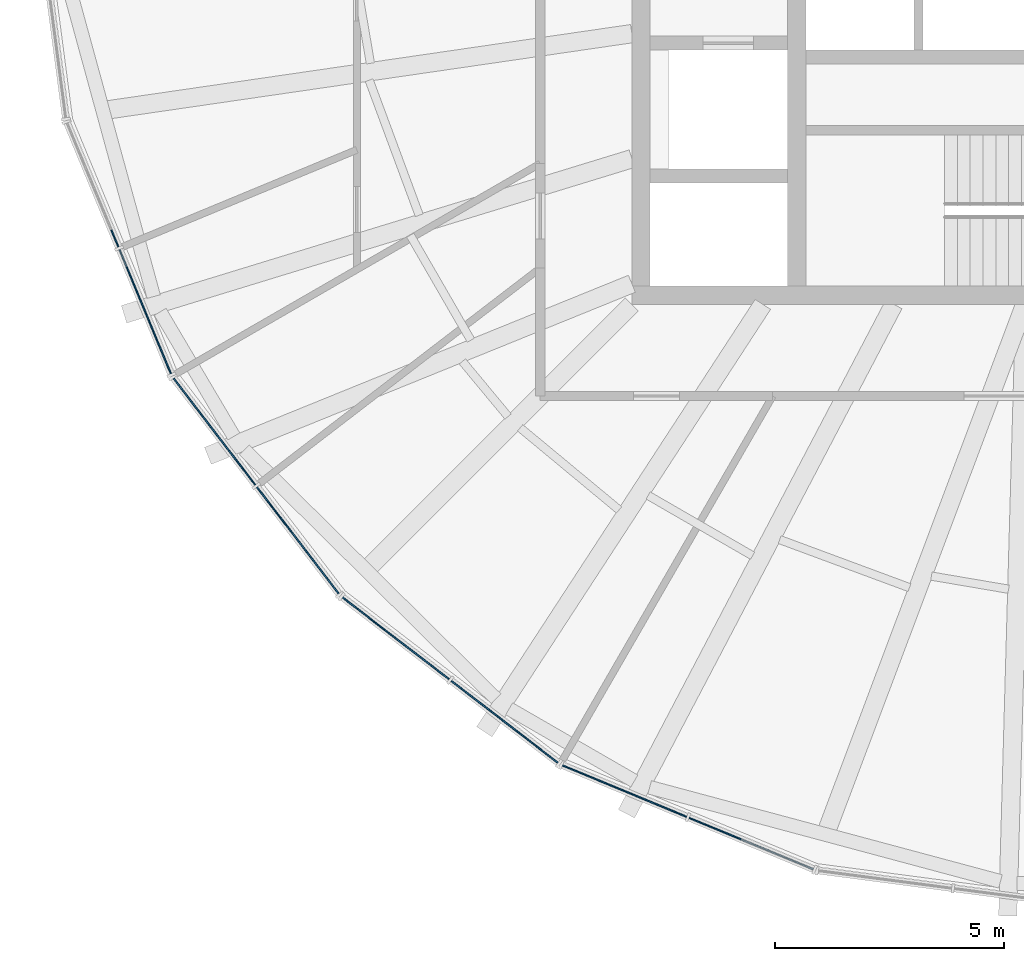
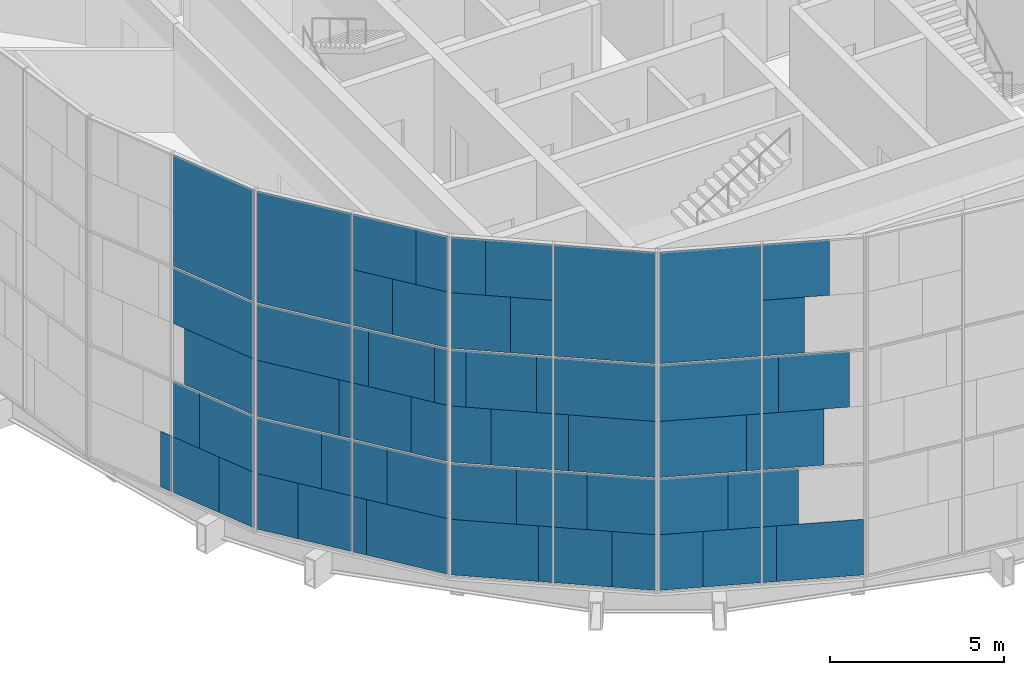
# One storey, part 9 of 23: 66 plates, 4 elements without a shape of their own.
"""IFC4 building model written with IfcOpenShell, lengths in metres."""

from ifc_helpers import new_model, si_unit, direction, frame, origin, origin_2d, place, context, subcontext, project, spatial, rectangle, extrude, material, layer, layer_set, type_object, element, aggregate, save


model = new_model("IFC4")

# Units and contexts
model_context = context("Model", 3, precision=1e-05, world=origin(), true_north=direction((0.0, 1.0)))
body_context = subcontext(model_context, "Body", "Model", "MODEL_VIEW")
ifc_project = project(units=[si_unit("LENGTHUNIT", "METRE"), si_unit("AREAUNIT", "SQUARE_METRE"), si_unit("VOLUMEUNIT", "CUBIC_METRE"), si_unit("PLANEANGLEUNIT", "RADIAN"), si_unit("MASSUNIT", "GRAM", prefix="KILO")], contexts=[model_context])

# Site, building, storey
site_placement = place(None, origin())
site = spatial("IfcSite", under=ifc_project, at=site_placement, CompositionType="ELEMENT")
building_placement = place(site_placement, origin())
building = spatial("IfcBuilding", under=site, at=building_placement, Name="Golbaran Civic Tower", CompositionType="ELEMENT")
storey_placement = place(building_placement, frame((0.0, 0.0, 220.0)))
storey = spatial("IfcBuildingStorey", under=building, at=storey_placement, Name="L53", CompositionType="ELEMENT", Elevation=220.0)

# Curtain wall, plates
ifc_material_1 = material(Name="Aluminium and glass", Category="aluminium")
curtain_wall_type = type_object("IfcCurtainWallType", Name="INNER SKIN CURTAIN WALL EXECUTIVE", PredefinedType="NOTDEFINED", material=ifc_material_1)
curtain_wall_1_placement = place(storey_placement, origin())
curtain_wall_1 = element("IfcCurtainWall", 1, at=curtain_wall_1_placement, inside=storey, type_object=curtain_wall_type, Name="Inner skin L53 facet 14 CW2", ObjectType="INNER SKIN", PredefinedType="USERDEFINED")
ifc_material_2 = material(Name="Clear insulating glass", Category="glass")
ifc_layer_1 = layer(ifc_material_2, 0.031982421875, Name="Clear insulating glass")
ifc_layer_set_1 = layer_set([ifc_layer_1], Name="Clear insulating glass")
plate_type_1 = type_object("IfcPlateType", Name="INNER SKIN CURTAIN WALL EXECUTIVE GLAZED PANEL", PredefinedType="CURTAIN_PANEL", material=ifc_layer_set_1)
plate_1_placement = place(storey_placement, frame((-20.299560546875, -10.927490234375, 0.06005859375), z_axis=(0.0, 0.0, 1.0), x_axis=(0.382683432317, -0.923879532531, 0.0)))
plate_1 = element("IfcPlate", 2, at=plate_1_placement, type_object=plate_type_1, Name="CW2 panel 2.1 part 2", PredefinedType="CURTAIN_PANEL", context=body_context, shape_type="SweptSolid", body=[
    extrude(rectangle(XDim=1.2646484375, YDim=0.031982421875, at=origin_2d()), origin(), (0.0, 0.0, 1.0), 1.955078125),
])
plate_2_placement = place(storey_placement, frame((-20.437744140625, -10.593994140625, 2.014892578125), z_axis=(0.0, 0.0, 1.0), x_axis=(0.382683432317, -0.923879532531, 0.0)))
plate_2 = element("IfcPlate", 3, at=plate_2_placement, type_object=plate_type_1, Name="CW2 panel 2.1 part 4", PredefinedType="CURTAIN_PANEL", context=body_context, shape_type="SweptSolid", body=[
    extrude(rectangle(XDim=1.986572265625, YDim=0.031982421875, at=origin_2d()), origin(), (0.0, 0.0, 1.0), 1.955078125),
])
plate_3_placement = place(storey_placement, frame((-20.54150390625, -10.343505859375, 4.02978515625), z_axis=(0.0, 0.0, 1.0), x_axis=(0.382683432317, -0.923879532531, 0.0)))
plate_3 = element("IfcPlate", 4, at=plate_3_placement, type_object=plate_type_1, Name="CW2 panel 2.2 part 2", PredefinedType="CURTAIN_PANEL", context=body_context, shape_type="SweptSolid", body=[
    extrude(rectangle(XDim=2.528564453125, YDim=0.031982421875, at=origin_2d()), origin(), (0.0, 0.0, 1.0), 1.969970703125),
])
plate_4_placement = place(storey_placement, frame((-20.6181640625, -10.158203125, 6.0), z_axis=(0.0, 0.0, 1.0), x_axis=(0.382683432317, -0.923879532531, 0.0)))
plate_4 = element("IfcPlate", 5, at=plate_4_placement, type_object=plate_type_1, Name="CW2 panel 2.2 part 3", PredefinedType="CURTAIN_PANEL", context=body_context, shape_type="SweptSolid", body=[
    extrude(rectangle(XDim=2.9296875, YDim=0.031982421875, at=origin_2d()), origin(), (0.0, 0.0, 1.0), 1.969970703125),
])
plate_5_placement = place(storey_placement, frame((-20.6181640625, -10.158203125, 8.0302734375), z_axis=(0.0, 0.0, 1.0), x_axis=(0.382683432317, -0.923879532531, 0.0)))
plate_5 = element("IfcPlate", 6, at=plate_5_placement, type_object=plate_type_1, Name="CW2 panel 2.3", PredefinedType="CURTAIN_PANEL", context=body_context, shape_type="SweptSolid", body=[
    extrude(rectangle(XDim=2.9296875, YDim=0.031982421875, at=origin_2d()), origin(), (0.0, 0.0, 1.0), 3.909912109375),
])

curtain_wall_2_placement = place(storey_placement, origin())
curtain_wall_2 = element("IfcCurtainWall", 7, at=curtain_wall_2_placement, inside=storey, type_object=curtain_wall_type, Name="Inner skin L53 facet 15 CW2", ObjectType="INNER SKIN", PredefinedType="USERDEFINED")
plate_6_placement = place(storey_placement, frame((-19.61328125, -12.115966796875, 0.06005859375), z_axis=(0.0, 0.0, 1.0), x_axis=(0.608761428981, -0.793353340312, 0.0)))
plate_6 = element("IfcPlate", 8, at=plate_6_placement, type_object=plate_type_1, Name="CW2 panel 1.1 part 1", PredefinedType="CURTAIN_PANEL", context=body_context, shape_type="SweptSolid", body=[
    extrude(rectangle(XDim=1.263916015625, YDim=0.031982421875, at=origin_2d()), origin(), (0.0, 0.0, 1.0), 1.955078125),
])
plate_7_placement = place(storey_placement, frame((-19.393310546875, -12.40283203125, 2.014892578125), z_axis=(0.0, 0.0, 1.0), x_axis=(0.608761428981, -0.793353340312, 0.0)))
plate_7 = element("IfcPlate", 9, at=plate_7_placement, type_object=plate_type_1, Name="CW2 panel 1.1 part 3", PredefinedType="CURTAIN_PANEL", context=body_context, shape_type="SweptSolid", body=[
    extrude(rectangle(XDim=1.987060546875, YDim=0.031982421875, at=origin_2d()), origin(), (0.0, 0.0, 1.0), 1.955078125),
])
plate_8_placement = place(storey_placement, frame((-19.228515625, -12.617431640625, 4.02978515625), z_axis=(0.0, 0.0, 1.0), x_axis=(0.608761428981, -0.793353340312, 0.0)))
plate_8 = element("IfcPlate", 10, at=plate_8_placement, type_object=plate_type_1, Name="CW2 panel 1.2 part 1", PredefinedType="CURTAIN_PANEL", context=body_context, shape_type="SweptSolid", body=[
    extrude(rectangle(XDim=2.528076171875, YDim=0.031982421875, at=origin_2d()), origin(), (0.0, 0.0, 1.0), 1.969970703125),
])
plate_9_placement = place(storey_placement, frame((-19.1064453125, -12.776611328125, 6.0), z_axis=(0.0, 0.0, 1.0), x_axis=(0.608761428981, -0.793353340312, 0.0)))
plate_9 = element("IfcPlate", 11, at=plate_9_placement, type_object=plate_type_1, Name="CW2 panel 1.2 part 3", PredefinedType="CURTAIN_PANEL", context=body_context, shape_type="SweptSolid", body=[
    extrude(rectangle(XDim=2.9296875, YDim=0.031982421875, at=origin_2d()), origin(), (0.0, 0.0, 1.0), 1.969970703125),
])
plate_10_placement = place(storey_placement, frame((-19.1064453125, -12.776611328125, 8.0302734375), z_axis=(0.0, 0.0, 1.0), x_axis=(0.608761428981, -0.793353340312, 0.0)))
plate_10 = element("IfcPlate", 12, at=plate_10_placement, type_object=plate_type_1, Name="CW2 panel 1.3", PredefinedType="CURTAIN_PANEL", context=body_context, shape_type="SweptSolid", body=[
    extrude(rectangle(XDim=2.9296875, YDim=0.031982421875, at=origin_2d()), origin(), (0.0, 0.0, 1.0), 3.909912109375),
])
plate_11_placement = place(storey_placement, frame((-17.164794921875, -15.30712890625, 0.06005859375), z_axis=(0.0, 0.0, 1.0), x_axis=(0.608761428981, -0.793353340312, 0.0)))
plate_11 = element("IfcPlate", 13, at=plate_11_placement, type_object=plate_type_1, Name="CW2 panel 2.1 part 2", PredefinedType="CURTAIN_PANEL", context=body_context, shape_type="SweptSolid", body=[
    extrude(rectangle(XDim=2.529541015625, YDim=0.031982421875, at=origin_2d()), origin(), (0.0, 0.0, 1.0), 1.955078125),
])
plate_12_placement = place(storey_placement, frame((-16.969970703125, -15.56103515625, 2.014892578125), z_axis=(0.0, 0.0, 1.0), x_axis=(0.608761428981, -0.793353340312, 0.0)))
plate_12 = element("IfcPlate", 14, at=plate_12_placement, type_object=plate_type_1, Name="CW2 panel 2.1 part 4", PredefinedType="CURTAIN_PANEL", context=body_context, shape_type="SweptSolid", body=[
    extrude(rectangle(XDim=1.8896484375, YDim=0.031982421875, at=origin_2d()), origin(), (0.0, 0.0, 1.0), 1.955078125),
])
plate_13_placement = place(storey_placement, frame((-16.74169921875, -15.858642578125, 4.02978515625), z_axis=(0.0, 0.0, 1.0), x_axis=(0.608761428981, -0.793353340312, 0.0)))
plate_13 = element("IfcPlate", 15, at=plate_13_placement, type_object=plate_type_1, Name="CW2 panel 2.2 part 2", PredefinedType="CURTAIN_PANEL", context=body_context, shape_type="SweptSolid", body=[
    extrude(rectangle(XDim=1.1396484375, YDim=0.031982421875, at=origin_2d()), origin(), (0.0, 0.0, 1.0), 1.969970703125),
])
plate_14_placement = place(storey_placement, frame((-18.035400390625, -14.17236328125, 6.0), z_axis=(0.0, 0.0, 1.0), x_axis=(0.608761428981, -0.793353340312, 0.0)))
plate_14 = element("IfcPlate", 16, at=plate_14_placement, type_object=plate_type_1, Name="CW2 panel 2.2 part 3", PredefinedType="CURTAIN_PANEL", context=body_context, shape_type="SweptSolid", body=[
    extrude(rectangle(XDim=0.468994140625, YDim=0.031982421875, at=origin_2d()), origin(), (0.0, 0.0, 1.0), 1.969970703125),
])
plate_15_placement = place(storey_placement, frame((-16.52001953125, -16.147216796875, 6.0), z_axis=(0.0, 0.0, 1.0), x_axis=(0.608761428981, -0.793353340312, 0.0)))
plate_15 = element("IfcPlate", 17, at=plate_15_placement, type_object=plate_type_1, Name="CW2 panel 2.2 part 5", PredefinedType="CURTAIN_PANEL", context=body_context, shape_type="SweptSolid", body=[
    extrude(rectangle(XDim=0.41162109375, YDim=0.031982421875, at=origin_2d()), origin(), (0.0, 0.0, 1.0), 1.969970703125),
])
plate_16_placement = place(storey_placement, frame((-17.80712890625, -14.469970703125, 8.030029296875), z_axis=(0.0, 0.0, 1.0), x_axis=(0.608761428981, -0.793353340312, 0.0)))
plate_16 = element("IfcPlate", 18, at=plate_16_placement, type_object=plate_type_1, Name="CW2 panel 2.3 part 1", PredefinedType="CURTAIN_PANEL", context=body_context, shape_type="SweptSolid", body=[
    extrude(rectangle(XDim=1.218994140625, YDim=0.031982421875, at=origin_2d()), origin(), (0.0, 0.0, 1.0), 1.955078125),
])
plate_17_placement = place(storey_placement, frame((-17.58740234375, -14.75634765625, 9.98486328125), z_axis=(0.0, 0.0, 1.0), x_axis=(0.608761428981, -0.793353340312, 0.0)))
plate_17 = element("IfcPlate", 19, at=plate_17_placement, type_object=plate_type_1, Name="CW2 panel 2.3 part 3", PredefinedType="CURTAIN_PANEL", context=body_context, shape_type="SweptSolid", body=[
    extrude(rectangle(XDim=1.94091796875, YDim=0.031982421875, at=origin_2d()), origin(), (0.0, 0.0, 1.0), 1.955078125),
])

curtain_wall_3_placement = place(storey_placement, origin())
curtain_wall_3 = element("IfcCurtainWall", 20, at=curtain_wall_3_placement, inside=storey, type_object=curtain_wall_type, Name="Inner skin L53 facet 16 CW2", ObjectType="INNER SKIN", PredefinedType="USERDEFINED")
plate_18_placement = place(storey_placement, frame((-15.307861328125, -17.164306640625, 0.06005859375), z_axis=(0.0, 0.0, 1.0), x_axis=(0.793353340312, -0.608761428981, 0.0)))
plate_18 = element("IfcPlate", 21, at=plate_18_placement, type_object=plate_type_1, Name="CW2 panel 1.1 part 1", PredefinedType="CURTAIN_PANEL", context=body_context, shape_type="SweptSolid", body=[
    extrude(rectangle(XDim=2.528076171875, YDim=0.031982421875, at=origin_2d()), origin(), (0.0, 0.0, 1.0), 1.955078125),
])
plate_19_placement = place(storey_placement, frame((-15.561279296875, -16.9697265625, 2.014892578125), z_axis=(0.0, 0.0, 1.0), x_axis=(0.793353340312, -0.608761428981, 0.0)))
plate_19 = element("IfcPlate", 22, at=plate_19_placement, type_object=plate_type_1, Name="CW2 panel 1.1 part 3", PredefinedType="CURTAIN_PANEL", context=body_context, shape_type="SweptSolid", body=[
    extrude(rectangle(XDim=1.888916015625, YDim=0.031982421875, at=origin_2d()), origin(), (0.0, 0.0, 1.0), 1.955078125),
])
plate_20_placement = place(storey_placement, frame((-15.85888671875, -16.741455078125, 4.02978515625), z_axis=(0.0, 0.0, 1.0), x_axis=(0.793353340312, -0.608761428981, 0.0)))
plate_20 = element("IfcPlate", 23, at=plate_20_placement, type_object=plate_type_1, Name="CW2 panel 1.2 part 1", PredefinedType="CURTAIN_PANEL", context=body_context, shape_type="SweptSolid", body=[
    extrude(rectangle(XDim=1.138916015625, YDim=0.031982421875, at=origin_2d()), origin(), (0.0, 0.0, 1.0), 1.969970703125),
])
plate_21_placement = place(storey_placement, frame((-16.147216796875, -16.52001953125, 6.0), z_axis=(0.0, 0.0, 1.0), x_axis=(0.793353340312, -0.608761428981, 0.0)))
plate_21 = element("IfcPlate", 24, at=plate_21_placement, type_object=plate_type_1, Name="CW2 panel 1.2 part 3", PredefinedType="CURTAIN_PANEL", context=body_context, shape_type="SweptSolid", body=[
    extrude(rectangle(XDim=0.412109375, YDim=0.031982421875, at=origin_2d()), origin(), (0.0, 0.0, 1.0), 1.969970703125),
])
plate_22_placement = place(storey_placement, frame((-14.17236328125, -18.03564453125, 6.0), z_axis=(0.0, 0.0, 1.0), x_axis=(0.793353340312, -0.608761428981, 0.0)))
plate_22 = element("IfcPlate", 25, at=plate_22_placement, type_object=plate_type_1, Name="CW2 panel 1.2 part 5", PredefinedType="CURTAIN_PANEL", context=body_context, shape_type="SweptSolid", body=[
    extrude(rectangle(XDim=0.468505859375, YDim=0.031982421875, at=origin_2d()), origin(), (0.0, 0.0, 1.0), 1.969970703125),
])
plate_23_placement = place(storey_placement, frame((-14.4697265625, -17.80712890625, 8.030029296875), z_axis=(0.0, 0.0, 1.0), x_axis=(0.793353340312, -0.608761428981, 0.0)))
plate_23 = element("IfcPlate", 26, at=plate_23_placement, type_object=plate_type_1, Name="CW2 panel 1.3 part 2", PredefinedType="CURTAIN_PANEL", context=body_context, shape_type="SweptSolid", body=[
    extrude(rectangle(XDim=1.218505859375, YDim=0.031982421875, at=origin_2d()), origin(), (0.0, 0.0, 1.0), 1.955078125),
])
plate_24_placement = place(storey_placement, frame((-14.756591796875, -17.587158203125, 9.98486328125), z_axis=(0.0, 0.0, 1.0), x_axis=(0.793353340312, -0.608761428981, 0.0)))
plate_24 = element("IfcPlate", 27, at=plate_24_placement, type_object=plate_type_1, Name="CW2 panel 1.3 part 4", PredefinedType="CURTAIN_PANEL", context=body_context, shape_type="SweptSolid", body=[
    extrude(rectangle(XDim=1.941650390625, YDim=0.031982421875, at=origin_2d()), origin(), (0.0, 0.0, 1.0), 1.955078125),
])
plate_25_placement = place(storey_placement, frame((-12.1162109375, -19.61328125, 0.06005859375), z_axis=(0.0, 0.0, 1.0), x_axis=(0.793353340312, -0.608761428981, 0.0)))
plate_25 = element("IfcPlate", 28, at=plate_25_placement, type_object=plate_type_1, Name="CW2 panel 2.1 part 2", PredefinedType="CURTAIN_PANEL", context=body_context, shape_type="SweptSolid", body=[
    extrude(rectangle(XDim=1.2646484375, YDim=0.031982421875, at=origin_2d()), origin(), (0.0, 0.0, 1.0), 1.955078125),
])
plate_26_placement = place(storey_placement, frame((-12.402587890625, -19.393310546875, 2.014892578125), z_axis=(0.0, 0.0, 1.0), x_axis=(0.793353340312, -0.608761428981, 0.0)))
plate_26 = element("IfcPlate", 29, at=plate_26_placement, type_object=plate_type_1, Name="CW2 panel 2.1 part 4", PredefinedType="CURTAIN_PANEL", context=body_context, shape_type="SweptSolid", body=[
    extrude(rectangle(XDim=1.986572265625, YDim=0.031982421875, at=origin_2d()), origin(), (0.0, 0.0, 1.0), 1.955078125),
])
plate_27_placement = place(storey_placement, frame((-12.61767578125, -19.228515625, 4.02978515625), z_axis=(0.0, 0.0, 1.0), x_axis=(0.793353340312, -0.608761428981, 0.0)))
plate_27 = element("IfcPlate", 30, at=plate_27_placement, type_object=plate_type_1, Name="CW2 panel 2.2 part 2", PredefinedType="CURTAIN_PANEL", context=body_context, shape_type="SweptSolid", body=[
    extrude(rectangle(XDim=2.528564453125, YDim=0.031982421875, at=origin_2d()), origin(), (0.0, 0.0, 1.0), 1.969970703125),
])
plate_28_placement = place(storey_placement, frame((-12.776611328125, -19.1064453125, 6.0), z_axis=(0.0, 0.0, 1.0), x_axis=(0.793353340312, -0.608761428981, 0.0)))
plate_28 = element("IfcPlate", 31, at=plate_28_placement, type_object=plate_type_1, Name="CW2 panel 2.2 part 3", PredefinedType="CURTAIN_PANEL", context=body_context, shape_type="SweptSolid", body=[
    extrude(rectangle(XDim=2.9296875, YDim=0.031982421875, at=origin_2d()), origin(), (0.0, 0.0, 1.0), 1.969970703125),
])
plate_29_placement = place(storey_placement, frame((-12.776611328125, -19.1064453125, 8.0302734375), z_axis=(0.0, 0.0, 1.0), x_axis=(0.793353340312, -0.608761428981, 0.0)))
plate_29 = element("IfcPlate", 32, at=plate_29_placement, type_object=plate_type_1, Name="CW2 panel 2.3", PredefinedType="CURTAIN_PANEL", context=body_context, shape_type="SweptSolid", body=[
    extrude(rectangle(XDim=2.9296875, YDim=0.031982421875, at=origin_2d()), origin(), (0.0, 0.0, 1.0), 3.909912109375),
])

curtain_wall_4_placement = place(storey_placement, origin())
curtain_wall_4 = element("IfcCurtainWall", 33, at=curtain_wall_4_placement, inside=storey, type_object=curtain_wall_type, Name="Inner skin L53 facet 17 CW2", ObjectType="INNER SKIN", PredefinedType="USERDEFINED")
plate_30_placement = place(storey_placement, frame((-10.927734375, -20.299560546875, 0.06005859375), z_axis=(0.0, 0.0, 1.0), x_axis=(0.923879532531, -0.382683432317, 0.0)))
plate_30 = element("IfcPlate", 34, at=plate_30_placement, type_object=plate_type_1, Name="CW2 panel 1.1 part 1", PredefinedType="CURTAIN_PANEL", context=body_context, shape_type="SweptSolid", body=[
    extrude(rectangle(XDim=1.263916015625, YDim=0.031982421875, at=origin_2d()), origin(), (0.0, 0.0, 1.0), 1.955078125),
])
plate_31_placement = place(storey_placement, frame((-10.59375, -20.437744140625, 2.014892578125), z_axis=(0.0, 0.0, 1.0), x_axis=(0.923879532531, -0.382683432317, 0.0)))
plate_31 = element("IfcPlate", 35, at=plate_31_placement, type_object=plate_type_1, Name="CW2 panel 1.1 part 3", PredefinedType="CURTAIN_PANEL", context=body_context, shape_type="SweptSolid", body=[
    extrude(rectangle(XDim=1.987060546875, YDim=0.031982421875, at=origin_2d()), origin(), (0.0, 0.0, 1.0), 1.955078125),
])
plate_32_placement = place(storey_placement, frame((-10.34375, -20.541259765625, 4.02978515625), z_axis=(0.0, 0.0, 1.0), x_axis=(0.923879532531, -0.382683432317, 0.0)))
plate_32 = element("IfcPlate", 36, at=plate_32_placement, type_object=plate_type_1, Name="CW2 panel 1.2 part 1", PredefinedType="CURTAIN_PANEL", context=body_context, shape_type="SweptSolid", body=[
    extrude(rectangle(XDim=2.528076171875, YDim=0.031982421875, at=origin_2d()), origin(), (0.0, 0.0, 1.0), 1.969970703125),
])
plate_33_placement = place(storey_placement, frame((-10.158203125, -20.6181640625, 6.0), z_axis=(0.0, 0.0, 1.0), x_axis=(0.923879532531, -0.382683432317, 0.0)))
plate_33 = element("IfcPlate", 37, at=plate_33_placement, type_object=plate_type_1, Name="CW2 panel 1.2 part 3", PredefinedType="CURTAIN_PANEL", context=body_context, shape_type="SweptSolid", body=[
    extrude(rectangle(XDim=2.9296875, YDim=0.031982421875, at=origin_2d()), origin(), (0.0, 0.0, 1.0), 1.969970703125),
])
plate_34_placement = place(storey_placement, frame((-10.158203125, -20.6181640625, 8.0302734375), z_axis=(0.0, 0.0, 1.0), x_axis=(0.923879532531, -0.382683432317, 0.0)))
plate_34 = element("IfcPlate", 38, at=plate_34_placement, type_object=plate_type_1, Name="CW2 panel 1.3", PredefinedType="CURTAIN_PANEL", context=body_context, shape_type="SweptSolid", body=[
    extrude(rectangle(XDim=2.9296875, YDim=0.031982421875, at=origin_2d()), origin(), (0.0, 0.0, 1.0), 3.909912109375),
])
plate_35_placement = place(storey_placement, frame((-7.21142578125, -21.8388671875, 0.06005859375), z_axis=(0.0, 0.0, 1.0), x_axis=(0.923879532531, -0.382683432317, 0.0)))
plate_35 = element("IfcPlate", 39, at=plate_35_placement, type_object=plate_type_1, Name="CW2 panel 2.1 part 2", PredefinedType="CURTAIN_PANEL", context=body_context, shape_type="SweptSolid", body=[
    extrude(rectangle(XDim=2.529541015625, YDim=0.031982421875, at=origin_2d()), origin(), (0.0, 0.0, 1.0), 1.955078125),
])
plate_36_placement = place(storey_placement, frame((-8.532958984375, -21.29150390625, 6.0), z_axis=(0.0, 0.0, 1.0), x_axis=(0.923879532531, -0.382683432317, 0.0)))
plate_36 = element("IfcPlate", 40, at=plate_36_placement, type_object=plate_type_1, Name="CW2 panel 2.2 part 3", PredefinedType="CURTAIN_PANEL", context=body_context, shape_type="SweptSolid", body=[
    extrude(rectangle(XDim=0.468994140625, YDim=0.031982421875, at=origin_2d()), origin(), (0.0, 0.0, 1.0), 1.969970703125),
])
plate_37_placement = place(storey_placement, frame((-8.1865234375, -21.434814453125, 8.030029296875), z_axis=(0.0, 0.0, 1.0), x_axis=(0.923879532531, -0.382683432317, 0.0)))
plate_37 = element("IfcPlate", 41, at=plate_37_placement, type_object=plate_type_1, Name="CW2 panel 2.3 part 1", PredefinedType="CURTAIN_PANEL", context=body_context, shape_type="SweptSolid", body=[
    extrude(rectangle(XDim=1.218994140625, YDim=0.031982421875, at=origin_2d()), origin(), (0.0, 0.0, 1.0), 1.955078125),
])
plate_38_placement = place(storey_placement, frame((-7.85302734375, -21.572998046875, 9.98486328125), z_axis=(0.0, 0.0, 1.0), x_axis=(0.923879532531, -0.382683432317, 0.0)))
plate_38 = element("IfcPlate", 42, at=plate_38_placement, type_object=plate_type_1, Name="CW2 panel 2.3 part 3", PredefinedType="CURTAIN_PANEL", context=body_context, shape_type="SweptSolid", body=[
    extrude(rectangle(XDim=1.94091796875, YDim=0.031982421875, at=origin_2d()), origin(), (0.0, 0.0, 1.0), 1.955078125),
])

# Plate
ifc_material_3 = material(Name="Aluminium faced opaque infill panel", Category="aluminium")
ifc_layer_2 = layer(ifc_material_3, 0.031982421875, Name="Aluminium faced opaque infill panel")
ifc_layer_set_2 = layer_set([ifc_layer_2], Name="Aluminium faced opaque infill panel")
plate_type_2 = type_object("IfcPlateType", Name="INNER SKIN CURTAIN WALL EXECUTIVE OPAQUE INFILL PANEL", PredefinedType="CURTAIN_PANEL", material=ifc_layer_set_2)
plate_39_placement = place(storey_placement, frame((-21.278564453125, -8.56396484375, 0.06005859375), z_axis=(0.0, 0.0, 1.0), x_axis=(0.382683432317, -0.923879532531, 0.0)))
plate_39 = element("IfcPlate", 43, at=plate_39_placement, type_object=plate_type_2, Name="CW2 infill panel 1.1 part 2", PredefinedType="CURTAIN_PANEL", context=body_context, shape_type="SweptSolid", body=[
    extrude(rectangle(XDim=0.401611328125, YDim=0.031982421875, at=origin_2d()), origin(), (0.0, 0.0, 1.0), 1.955078125),
])

plate_40_placement = place(storey_placement, frame((-20.860107421875, -9.57421875, 0.06005859375), z_axis=(0.0, 0.0, 1.0), x_axis=(0.382683432317, -0.923879532531, 0.0)))
plate_40 = element("IfcPlate", 44, at=plate_40_placement, type_object=plate_type_2, Name="CW2 infill panel 2.1 part 1", PredefinedType="CURTAIN_PANEL", context=body_context, shape_type="SweptSolid", body=[
    extrude(rectangle(XDim=1.6650390625, YDim=0.031982421875, at=origin_2d()), origin(), (0.0, 0.0, 1.0), 1.955078125),
])

plate_41_placement = place(storey_placement, frame((-20.998291015625, -9.240478515625, 2.014892578125), z_axis=(0.0, 0.0, 1.0), x_axis=(0.382683432317, -0.923879532531, 0.0)))
plate_41 = element("IfcPlate", 45, at=plate_41_placement, type_object=plate_type_2, Name="CW2 infill panel 2.1 part 3", PredefinedType="CURTAIN_PANEL", context=body_context, shape_type="SweptSolid", body=[
    extrude(rectangle(XDim=0.943115234375, YDim=0.031982421875, at=origin_2d()), origin(), (0.0, 0.0, 1.0), 1.955078125),
])

aggregate(curtain_wall_1, [plate_39, plate_40, plate_1, plate_41, plate_2, plate_3, plate_4, plate_5])

plate_42_placement = place(storey_placement, frame((-18.7216796875, -13.278076171875, 0.06005859375), z_axis=(0.0, 0.0, 1.0), x_axis=(0.608761428981, -0.793353340312, 0.0)))
plate_42 = element("IfcPlate", 46, at=plate_42_placement, type_object=plate_type_2, Name="CW2 infill panel 1.1 part 2", PredefinedType="CURTAIN_PANEL", context=body_context, shape_type="SweptSolid", body=[
    extrude(rectangle(XDim=1.66552734375, YDim=0.031982421875, at=origin_2d()), origin(), (0.0, 0.0, 1.0), 1.955078125),
])

plate_43_placement = place(storey_placement, frame((-18.501708984375, -13.56494140625, 2.014892578125), z_axis=(0.0, 0.0, 1.0), x_axis=(0.608761428981, -0.793353340312, 0.0)))
plate_43 = element("IfcPlate", 47, at=plate_43_placement, type_object=plate_type_2, Name="CW2 infill panel 1.1 part 4", PredefinedType="CURTAIN_PANEL", context=body_context, shape_type="SweptSolid", body=[
    extrude(rectangle(XDim=0.942626953125, YDim=0.031982421875, at=origin_2d()), origin(), (0.0, 0.0, 1.0), 1.955078125),
])

plate_44_placement = place(storey_placement, frame((-18.3369140625, -13.779541015625, 4.02978515625), z_axis=(0.0, 0.0, 1.0), x_axis=(0.608761428981, -0.793353340312, 0.0)))
plate_44 = element("IfcPlate", 48, at=plate_44_placement, type_object=plate_type_2, Name="CW2 infill panel 1.2 part 2", PredefinedType="CURTAIN_PANEL", context=body_context, shape_type="SweptSolid", body=[
    extrude(rectangle(XDim=0.401611328125, YDim=0.031982421875, at=origin_2d()), origin(), (0.0, 0.0, 1.0), 1.969970703125),
])

plate_45_placement = place(storey_placement, frame((-18.056396484375, -14.14501953125, 0.06005859375), z_axis=(0.0, 0.0, 1.0), x_axis=(0.608761428981, -0.793353340312, 0.0)))
plate_45 = element("IfcPlate", 49, at=plate_45_placement, type_object=plate_type_2, Name="CW2 infill panel 2.1 part 1", PredefinedType="CURTAIN_PANEL", context=body_context, shape_type="SweptSolid", body=[
    extrude(rectangle(XDim=0.39990234375, YDim=0.031982421875, at=origin_2d()), origin(), (0.0, 0.0, 1.0), 1.955078125),
])

plate_46_placement = place(storey_placement, frame((-17.861572265625, -14.39892578125, 2.014892578125), z_axis=(0.0, 0.0, 1.0), x_axis=(0.608761428981, -0.793353340312, 0.0)))
plate_46 = element("IfcPlate", 50, at=plate_46_placement, type_object=plate_type_2, Name="CW2 infill panel 2.1 part 3", PredefinedType="CURTAIN_PANEL", context=body_context, shape_type="SweptSolid", body=[
    extrude(rectangle(XDim=1.0400390625, YDim=0.031982421875, at=origin_2d()), origin(), (0.0, 0.0, 1.0), 1.955078125),
])

plate_47_placement = place(storey_placement, frame((-17.63330078125, -14.696533203125, 4.02978515625), z_axis=(0.0, 0.0, 1.0), x_axis=(0.608761428981, -0.793353340312, 0.0)))
plate_47 = element("IfcPlate", 51, at=plate_47_placement, type_object=plate_type_2, Name="CW2 infill panel 2.2 part 1", PredefinedType="CURTAIN_PANEL", context=body_context, shape_type="SweptSolid", body=[
    extrude(rectangle(XDim=1.7900390625, YDim=0.031982421875, at=origin_2d()), origin(), (0.0, 0.0, 1.0), 1.969970703125),
])

plate_48_placement = place(storey_placement, frame((-17.26904296875, -15.17138671875, 6.0), z_axis=(0.0, 0.0, 1.0), x_axis=(0.608761428981, -0.793353340312, 0.0)))
plate_48 = element("IfcPlate", 52, at=plate_48_placement, type_object=plate_type_2, Name="CW2 infill panel 2.2 part 4", PredefinedType="CURTAIN_PANEL", context=body_context, shape_type="SweptSolid", body=[
    extrude(rectangle(XDim=2.049072265625, YDim=0.031982421875, at=origin_2d()), origin(), (0.0, 0.0, 1.0), 1.969970703125),
])

plate_49_placement = place(storey_placement, frame((-16.91552734375, -15.632080078125, 8.030029296875), z_axis=(0.0, 0.0, 1.0), x_axis=(0.608761428981, -0.793353340312, 0.0)))
plate_49 = element("IfcPlate", 53, at=plate_49_placement, type_object=plate_type_2, Name="CW2 infill panel 2.3 part 2", PredefinedType="CURTAIN_PANEL", context=body_context, shape_type="SweptSolid", body=[
    extrude(rectangle(XDim=1.710693359375, YDim=0.031982421875, at=origin_2d()), origin(), (0.0, 0.0, 1.0), 1.955078125),
])

plate_50_placement = place(storey_placement, frame((-16.695556640625, -15.91845703125, 9.98486328125), z_axis=(0.0, 0.0, 1.0), x_axis=(0.608761428981, -0.793353340312, 0.0)))
plate_50 = element("IfcPlate", 54, at=plate_50_placement, type_object=plate_type_2, Name="CW2 infill panel 2.3 part 4", PredefinedType="CURTAIN_PANEL", context=body_context, shape_type="SweptSolid", body=[
    extrude(rectangle(XDim=0.988525390625, YDim=0.031982421875, at=origin_2d()), origin(), (0.0, 0.0, 1.0), 1.955078125),
])

aggregate(curtain_wall_2, [plate_6, plate_42, plate_7, plate_43, plate_8, plate_44, plate_9, plate_10, plate_45, plate_11, plate_46, plate_12, plate_47, plate_13, plate_14, plate_48, plate_15, plate_16, plate_49, plate_17, plate_50])

plate_51_placement = place(storey_placement, frame((-14.145751953125, -18.055908203125, 0.06005859375), z_axis=(0.0, 0.0, 1.0), x_axis=(0.793353340312, -0.608761428981, 0.0)))
plate_51 = element("IfcPlate", 55, at=plate_51_placement, type_object=plate_type_2, Name="CW2 infill panel 1.1 part 2", PredefinedType="CURTAIN_PANEL", context=body_context, shape_type="SweptSolid", body=[
    extrude(rectangle(XDim=0.401611328125, YDim=0.031982421875, at=origin_2d()), origin(), (0.0, 0.0, 1.0), 1.955078125),
])

plate_52_placement = place(storey_placement, frame((-14.399169921875, -17.861328125, 2.014892578125), z_axis=(0.0, 0.0, 1.0), x_axis=(0.793353340312, -0.608761428981, 0.0)))
plate_52 = element("IfcPlate", 56, at=plate_52_placement, type_object=plate_type_2, Name="CW2 infill panel 1.1 part 4", PredefinedType="CURTAIN_PANEL", context=body_context, shape_type="SweptSolid", body=[
    extrude(rectangle(XDim=1.04052734375, YDim=0.031982421875, at=origin_2d()), origin(), (0.0, 0.0, 1.0), 1.955078125),
])

plate_53_placement = place(storey_placement, frame((-14.69677734375, -17.633056640625, 4.02978515625), z_axis=(0.0, 0.0, 1.0), x_axis=(0.793353340312, -0.608761428981, 0.0)))
plate_53 = element("IfcPlate", 57, at=plate_53_placement, type_object=plate_type_2, Name="CW2 infill panel 1.2 part 2", PredefinedType="CURTAIN_PANEL", context=body_context, shape_type="SweptSolid", body=[
    extrude(rectangle(XDim=1.79052734375, YDim=0.031982421875, at=origin_2d()), origin(), (0.0, 0.0, 1.0), 1.969970703125),
])

plate_54_placement = place(storey_placement, frame((-15.1708984375, -17.269287109375, 6.0), z_axis=(0.0, 0.0, 1.0), x_axis=(0.793353340312, -0.608761428981, 0.0)))
plate_54 = element("IfcPlate", 58, at=plate_54_placement, type_object=plate_type_2, Name="CW2 infill panel 1.2 part 4", PredefinedType="CURTAIN_PANEL", context=body_context, shape_type="SweptSolid", body=[
    extrude(rectangle(XDim=2.049072265625, YDim=0.031982421875, at=origin_2d()), origin(), (0.0, 0.0, 1.0), 1.969970703125),
])

plate_55_placement = place(storey_placement, frame((-15.6318359375, -16.91552734375, 8.030029296875), z_axis=(0.0, 0.0, 1.0), x_axis=(0.793353340312, -0.608761428981, 0.0)))
plate_55 = element("IfcPlate", 59, at=plate_55_placement, type_object=plate_type_2, Name="CW2 infill panel 1.3 part 1", PredefinedType="CURTAIN_PANEL", context=body_context, shape_type="SweptSolid", body=[
    extrude(rectangle(XDim=1.7109375, YDim=0.031982421875, at=origin_2d()), origin(), (0.0, 0.0, 1.0), 1.955078125),
])

plate_56_placement = place(storey_placement, frame((-15.918701171875, -16.695556640625, 9.98486328125), z_axis=(0.0, 0.0, 1.0), x_axis=(0.793353340312, -0.608761428981, 0.0)))
plate_56 = element("IfcPlate", 60, at=plate_56_placement, type_object=plate_type_2, Name="CW2 infill panel 1.3 part 3", PredefinedType="CURTAIN_PANEL", context=body_context, shape_type="SweptSolid", body=[
    extrude(rectangle(XDim=0.988037109375, YDim=0.031982421875, at=origin_2d()), origin(), (0.0, 0.0, 1.0), 1.955078125),
])

plate_57_placement = place(storey_placement, frame((-13.2783203125, -18.721435546875, 0.06005859375), z_axis=(0.0, 0.0, 1.0), x_axis=(0.793353340312, -0.608761428981, 0.0)))
plate_57 = element("IfcPlate", 61, at=plate_57_placement, type_object=plate_type_2, Name="CW2 infill panel 2.1 part 1", PredefinedType="CURTAIN_PANEL", context=body_context, shape_type="SweptSolid", body=[
    extrude(rectangle(XDim=1.6650390625, YDim=0.031982421875, at=origin_2d()), origin(), (0.0, 0.0, 1.0), 1.955078125),
])

plate_58_placement = place(storey_placement, frame((-13.564697265625, -18.501708984375, 2.014892578125), z_axis=(0.0, 0.0, 1.0), x_axis=(0.793353340312, -0.608761428981, 0.0)))
plate_58 = element("IfcPlate", 62, at=plate_58_placement, type_object=plate_type_2, Name="CW2 infill panel 2.1 part 3", PredefinedType="CURTAIN_PANEL", context=body_context, shape_type="SweptSolid", body=[
    extrude(rectangle(XDim=0.943115234375, YDim=0.031982421875, at=origin_2d()), origin(), (0.0, 0.0, 1.0), 1.955078125),
])

plate_59_placement = place(storey_placement, frame((-13.77978515625, -18.336669921875, 4.02978515625), z_axis=(0.0, 0.0, 1.0), x_axis=(0.793353340312, -0.608761428981, 0.0)))
plate_59 = element("IfcPlate", 63, at=plate_59_placement, type_object=plate_type_2, Name="CW2 infill panel 2.2 part 1", PredefinedType="CURTAIN_PANEL", context=body_context, shape_type="SweptSolid", body=[
    extrude(rectangle(XDim=0.40087890625, YDim=0.031982421875, at=origin_2d()), origin(), (0.0, 0.0, 1.0), 1.969970703125),
])

aggregate(curtain_wall_3, [plate_18, plate_51, plate_19, plate_52, plate_20, plate_53, plate_21, plate_54, plate_22, plate_55, plate_23, plate_56, plate_24, plate_57, plate_25, plate_58, plate_26, plate_59, plate_27, plate_28, plate_29])

plate_60_placement = place(storey_placement, frame((-9.574462890625, -20.860107421875, 0.06005859375), z_axis=(0.0, 0.0, 1.0), x_axis=(0.923879532531, -0.382683432317, 0.0)))
plate_60 = element("IfcPlate", 64, at=plate_60_placement, type_object=plate_type_2, Name="CW2 infill panel 1.1 part 2", PredefinedType="CURTAIN_PANEL", context=body_context, shape_type="SweptSolid", body=[
    extrude(rectangle(XDim=1.66552734375, YDim=0.031982421875, at=origin_2d()), origin(), (0.0, 0.0, 1.0), 1.955078125),
])

plate_61_placement = place(storey_placement, frame((-9.240478515625, -20.998291015625, 2.014892578125), z_axis=(0.0, 0.0, 1.0), x_axis=(0.923879532531, -0.382683432317, 0.0)))
plate_61 = element("IfcPlate", 65, at=plate_61_placement, type_object=plate_type_2, Name="CW2 infill panel 1.1 part 4", PredefinedType="CURTAIN_PANEL", context=body_context, shape_type="SweptSolid", body=[
    extrude(rectangle(XDim=0.942626953125, YDim=0.031982421875, at=origin_2d()), origin(), (0.0, 0.0, 1.0), 1.955078125),
])

plate_62_placement = place(storey_placement, frame((-8.990478515625, -21.101806640625, 4.02978515625), z_axis=(0.0, 0.0, 1.0), x_axis=(0.923879532531, -0.382683432317, 0.0)))
plate_62 = element("IfcPlate", 66, at=plate_62_placement, type_object=plate_type_2, Name="CW2 infill panel 1.2 part 2", PredefinedType="CURTAIN_PANEL", context=body_context, shape_type="SweptSolid", body=[
    extrude(rectangle(XDim=0.401611328125, YDim=0.031982421875, at=origin_2d()), origin(), (0.0, 0.0, 1.0), 1.969970703125),
])

plate_63_placement = place(storey_placement, frame((-8.564697265625, -21.278076171875, 0.06005859375), z_axis=(0.0, 0.0, 1.0), x_axis=(0.923879532531, -0.382683432317, 0.0)))
plate_63 = element("IfcPlate", 67, at=plate_63_placement, type_object=plate_type_2, Name="CW2 infill panel 2.1 part 1", PredefinedType="CURTAIN_PANEL", context=body_context, shape_type="SweptSolid", body=[
    extrude(rectangle(XDim=0.39990234375, YDim=0.031982421875, at=origin_2d()), origin(), (0.0, 0.0, 1.0), 1.955078125),
])

plate_64_placement = place(storey_placement, frame((-8.26904296875, -21.400634765625, 2.014892578125), z_axis=(0.0, 0.0, 1.0), x_axis=(0.923879532531, -0.382683432317, 0.0)))
plate_64 = element("IfcPlate", 68, at=plate_64_placement, type_object=plate_type_2, Name="CW2 infill panel 2.1 part 3", PredefinedType="CURTAIN_PANEL", context=body_context, shape_type="SweptSolid", body=[
    extrude(rectangle(XDim=1.0400390625, YDim=0.031982421875, at=origin_2d()), origin(), (0.0, 0.0, 1.0), 1.955078125),
])

plate_65_placement = place(storey_placement, frame((-7.922607421875, -21.544189453125, 4.02978515625), z_axis=(0.0, 0.0, 1.0), x_axis=(0.923879532531, -0.382683432317, 0.0)))
plate_65 = element("IfcPlate", 69, at=plate_65_placement, type_object=plate_type_2, Name="CW2 infill panel 2.2 part 1", PredefinedType="CURTAIN_PANEL", context=body_context, shape_type="SweptSolid", body=[
    extrude(rectangle(XDim=1.7900390625, YDim=0.031982421875, at=origin_2d()), origin(), (0.0, 0.0, 1.0), 1.969970703125),
])

plate_66_placement = place(storey_placement, frame((-7.36962890625, -21.773193359375, 6.0), z_axis=(0.0, 0.0, 1.0), x_axis=(0.923879532531, -0.382683432317, 0.0)))
plate_66 = element("IfcPlate", 70, at=plate_66_placement, type_object=plate_type_2, Name="CW2 infill panel 2.2 part 4", PredefinedType="CURTAIN_PANEL", context=body_context, shape_type="SweptSolid", body=[
    extrude(rectangle(XDim=2.049072265625, YDim=0.031982421875, at=origin_2d()), origin(), (0.0, 0.0, 1.0), 1.969970703125),
])

aggregate(curtain_wall_4, [plate_30, plate_60, plate_31, plate_61, plate_32, plate_62, plate_33, plate_34, plate_63, plate_35, plate_64, plate_65, plate_36, plate_66, plate_37, plate_38])

save(model, "model.ifc")
